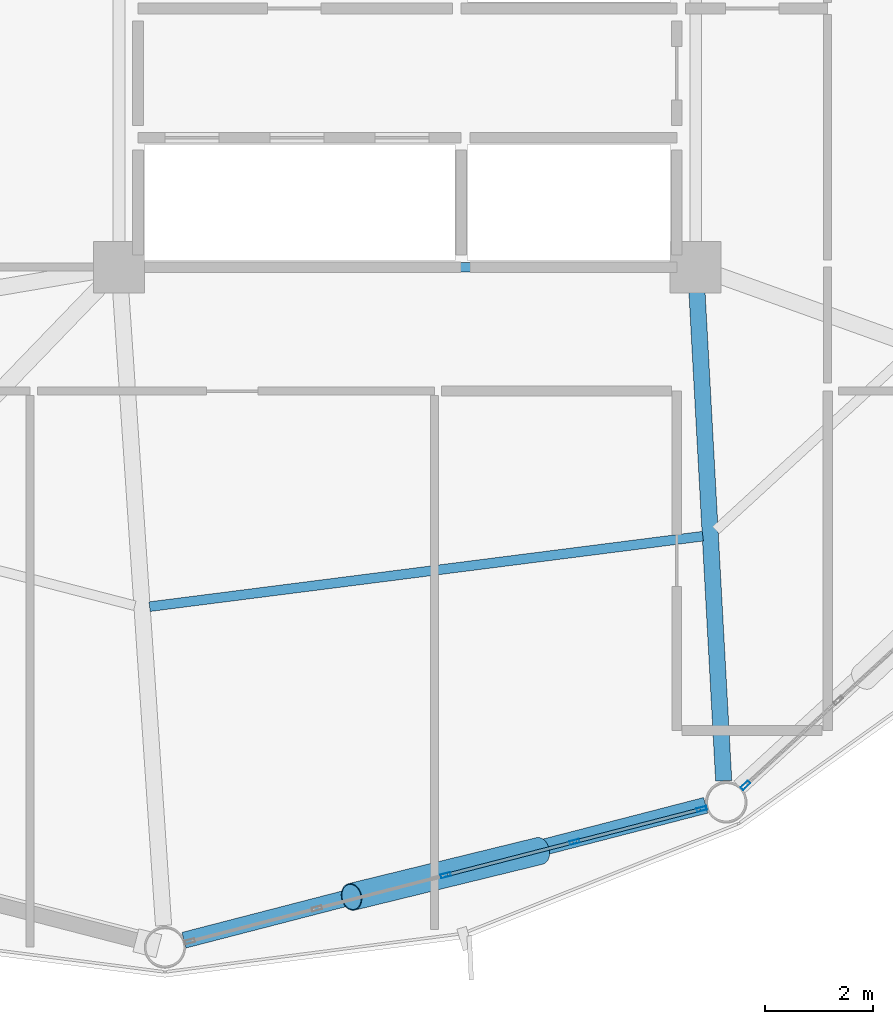
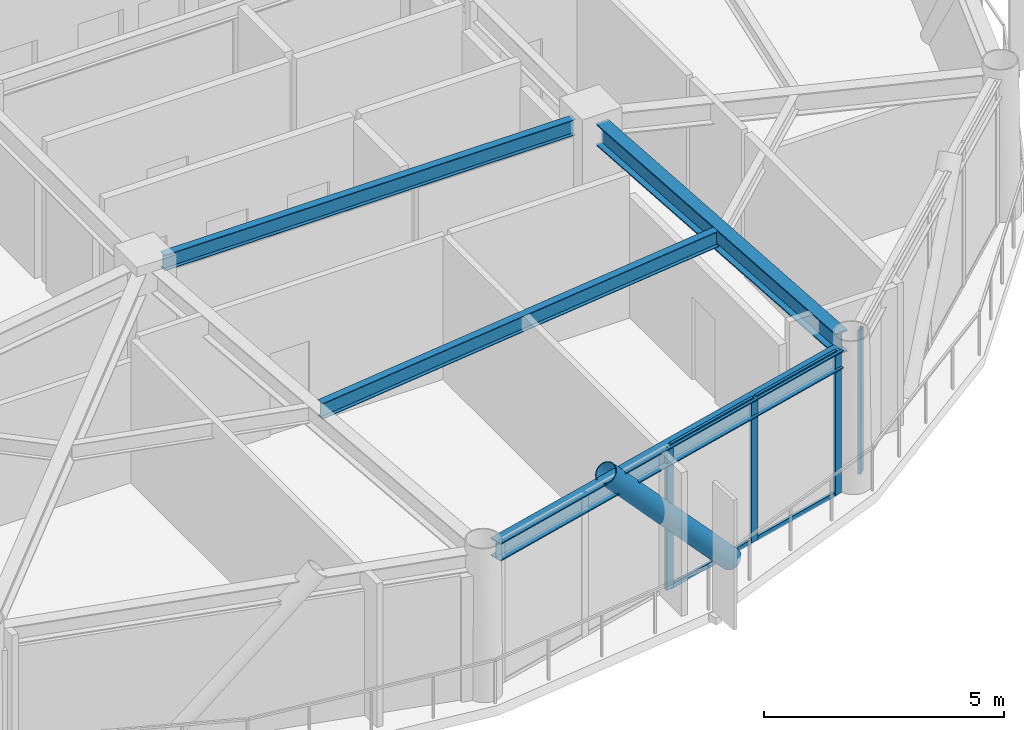
# One storey, part 8 of 26: 9 members, 4 beams, 2 elements without a shape of their own.
"""IFC4 building model written with IfcOpenShell, lengths in metres."""

from ifc_helpers import new_model, si_unit, direction, frame, origin, origin_2d, place, context, subcontext, project, spatial, hollow_rectangle, hollow_circle, i_section, extrude, material, layer, layer_set, material_profile, profile_set, type_object, element, aggregate, save


model = new_model("IFC4")

# Units and contexts
model_context = context("Model", 3, precision=1e-05, world=origin(), true_north=direction((0.0, 1.0)))
body_context = subcontext(model_context, "Body", "Model", "MODEL_VIEW")
ifc_project = project(units=[si_unit("LENGTHUNIT", "METRE"), si_unit("AREAUNIT", "SQUARE_METRE"), si_unit("VOLUMEUNIT", "CUBIC_METRE"), si_unit("PLANEANGLEUNIT", "RADIAN"), si_unit("MASSUNIT", "GRAM", prefix="KILO")], contexts=[model_context])

# Site, building, storey
site_placement = place(None, origin())
site = spatial("IfcSite", under=ifc_project, at=site_placement, CompositionType="ELEMENT")
building_placement = place(site_placement, origin())
building = spatial("IfcBuilding", under=site, at=building_placement, Name="Varnakorn Sky Granary", CompositionType="ELEMENT")
storey_placement = place(building_placement, frame((0.0, 0.0, 138.300048828125)))
storey = spatial("IfcBuildingStorey", under=building, at=storey_placement, Name="L34", CompositionType="ELEMENT", Elevation=138.300048828125)

# Beams
ifc_material_1 = material(Name="Steel S355JR", Category="steel")
ifc_material_profile_1 = material_profile(ifc_material_1, i_section(OverallWidth=0.300048828125, OverallDepth=0.550048828125, WebThickness=0.014892578125, FlangeThickness=0.029052734375, at=origin_2d()), Name="HE 550 B")
ifc_profile_set_1 = profile_set([ifc_material_profile_1], Name="Steel S355JR")
beam_type_1 = type_object("IfcBeamType", Name="BM-RAD-Z3", PredefinedType="BEAM", material=ifc_profile_set_1)
beam_1_placement = place(storey_placement, frame((8.372802734375, -7.019287109375, 3.364990234375), z_axis=(0.054607572622, -0.998507893315, 0.0), x_axis=(0.998507893315, 0.054607572622, 0.0)))
element("IfcBeam", 1, at=beam_1_placement, inside=storey, type_object=beam_type_1, Name="Radial Floor Girder RG11 L34", PredefinedType="BEAM", context=body_context, shape_type="SweptSolid", body=[
    extrude(i_section(OverallWidth=0.300048828125, OverallDepth=0.550048828125, WebThickness=0.014892578125, FlangeThickness=0.029052734375, at=origin_2d()), origin(), (0.0, 0.0, 1.0), 9.125),
])
ifc_material_profile_2 = material_profile(ifc_material_1, i_section(OverallWidth=0.179931640625, OverallDepth=0.39990234375, WebThickness=0.008544921875, FlangeThickness=0.013427734375, at=origin_2d()), Name="IPE 400")
ifc_profile_set_2 = profile_set([ifc_material_profile_2], Name="Steel S355JR")
beam_type_2 = type_object("IfcBeamType", Name="BM-SEC-Z3", PredefinedType="BEAM", material=ifc_profile_set_2)
beam_2_placement = place(storey_placement, frame((-1.7841796875, -12.900634765625, 3.43994140625), z_axis=(0.991984477801, 0.126359787126, 0.0), x_axis=(-0.126359787126, 0.991984477801, 0.0)))
element("IfcBeam", 2, at=beam_2_placement, inside=storey, type_object=beam_type_2, Name="Secondary Floor Chord Beam MSB10 L34", PredefinedType="BEAM", context=body_context, shape_type="SweptSolid", body=[
    extrude(i_section(OverallWidth=0.179931640625, OverallDepth=0.39990234375, WebThickness=0.008544921875, FlangeThickness=0.013427734375, at=origin_2d()), origin(), (0.0, 0.0, 1.0), 10.350341796875),
])
beam_3_placement = place(storey_placement, frame((-1.929931640625, -6.60009765625, 3.43994140625), z_axis=(1.0, 0.0, 0.0), x_axis=(0.0, 1.0, 0.0)))
element("IfcBeam", 3, at=beam_3_placement, inside=storey, type_object=beam_type_2, Name="Core Spine Framing Beam 6 L34", PredefinedType="BEAM", context=body_context, shape_type="SweptSolid", body=[
    extrude(i_section(OverallWidth=0.179931640625, OverallDepth=0.39990234375, WebThickness=0.008544921875, FlangeThickness=0.013427734375, at=origin_2d()), origin(), (0.0, 0.0, 1.0), 9.85986328125),
])
ifc_material_profile_3 = material_profile(ifc_material_1, i_section(OverallWidth=0.300048828125, OverallDepth=0.449951171875, WebThickness=0.013916015625, FlangeThickness=0.02587890625, at=origin_2d()), Name="HE 450 B")
ifc_profile_set_3 = profile_set([ifc_material_profile_3], Name="Steel S355JR")
beam_type_3 = type_object("IfcBeamType", Name="BM-SPD-Z3", PredefinedType="SPANDREL", material=ifc_profile_set_3)
beam_4_placement = place(storey_placement, frame((-1.145751953125, -19.09130859375, 3.4150390625), z_axis=(0.968156603597, 0.250345343299, 0.0), x_axis=(-0.250345343299, 0.968156603597, 0.0)))
element("IfcBeam", 4, at=beam_4_placement, inside=storey, type_object=beam_type_3, Name="Perimeter Spandrel Ring Beam RB10 L34", PredefinedType="SPANDREL", context=body_context, shape_type="SweptSolid", body=[
    extrude(i_section(OverallWidth=0.300048828125, OverallDepth=0.449951171875, WebThickness=0.013916015625, FlangeThickness=0.02587890625, at=origin_2d()), origin(), (0.0, 0.0, 1.0), 10.000732421875),
])

# Curtain wall, members
ifc_material_2 = material(Name="Anodised Bronze Aluminium Alloy 6063-T6", Category="aluminium")
ifc_layer = layer(ifc_material_2, 0.179931640625, Name="Anodised Bronze Aluminium Alloy 6063-T6")
ifc_layer_set = layer_set([ifc_layer], Name="Anodised Bronze Aluminium Alloy 6063-T6")
curtain_wall_type = type_object("IfcCurtainWallType", Name="CW-FRM-2", PredefinedType="USERDEFINED", material=ifc_layer_set)
curtain_wall_1_placement = place(storey_placement, origin())
curtain_wall_1 = element("IfcCurtainWall", 5, at=curtain_wall_1_placement, inside=storey, type_object=curtain_wall_type, Name="Unitised Curtain Wall CW4 CW-L34-B10", ObjectType="CURTAIN WALL", PredefinedType="USERDEFINED")
ifc_material_profile_4 = material_profile(ifc_material_2, hollow_rectangle(XDim=0.070068359375, YDim=0.18505859375, WallThickness=0.00390625, at=origin_2d()), Name="ALU MULL 70x185")
ifc_profile_set_4 = profile_set([ifc_material_profile_4], Name="Anodised Bronze Aluminium Alloy 6063-T6")
member_type_1 = type_object("IfcMemberType", Name="CW-FRM-2-MULL", PredefinedType="MULLION", material=ifc_profile_set_4)
member_1_placement = place(storey_placement, frame((8.463134765625, -16.65673828125, 0.0), z_axis=(0.0, 0.0, 1.0), x_axis=(0.250174194808, -0.968200842931, 0.0)))
member_1 = element("IfcMember", 6, at=member_1_placement, type_object=member_type_1, Name="CW4 mullion 1", PredefinedType="MULLION", context=body_context, shape_type="SweptSolid", body=[
    extrude(hollow_rectangle(XDim=0.070068359375, YDim=0.18505859375, WallThickness=0.00390625, at=origin_2d()), origin(), (0.0, 0.0, 1.0), 3.639892578125),
])
member_2_placement = place(storey_placement, frame((6.1044921875, -17.26611328125, 0.0), z_axis=(0.0, 0.0, 1.0), x_axis=(0.250174194808, -0.968200842931, 0.0)))
member_2 = element("IfcMember", 7, at=member_2_placement, type_object=member_type_1, Name="CW4 mullion 2", PredefinedType="MULLION", context=body_context, shape_type="SweptSolid", body=[
    extrude(hollow_rectangle(XDim=0.070068359375, YDim=0.18505859375, WallThickness=0.00390625, at=origin_2d()), origin(), (0.0, 0.0, 1.0), 3.639892578125),
])
member_3_placement = place(storey_placement, frame((3.7119140625, -17.88427734375, 0.0), z_axis=(0.0, 0.0, 1.0), x_axis=(0.250174194808, -0.968200842931, 0.0)))
member_3 = element("IfcMember", 8, at=member_3_placement, type_object=member_type_1, Name="CW4 mullion 3", PredefinedType="MULLION", context=body_context, shape_type="SweptSolid", body=[
    extrude(hollow_rectangle(XDim=0.070068359375, YDim=0.18505859375, WallThickness=0.00390625, at=origin_2d()), origin(), (0.0, 0.0, 1.0), 3.639892578125),
])

# Curtain wall, member
curtain_wall_2_placement = place(storey_placement, origin())
curtain_wall_2 = element("IfcCurtainWall", 9, at=curtain_wall_2_placement, inside=storey, type_object=curtain_wall_type, Name="Unitised Curtain Wall CW4 CW-L34-B11", ObjectType="CURTAIN WALL", PredefinedType="USERDEFINED")
member_4_placement = place(storey_placement, frame((9.27490234375, -16.216064453125, 0.0), z_axis=(0.0, 0.0, 1.0), x_axis=(0.675438035219, -0.737416748236, 0.0)))
member_4 = element("IfcMember", 10, at=member_4_placement, type_object=member_type_1, Name="CW4 mullion 5", PredefinedType="MULLION", context=body_context, shape_type="SweptSolid", body=[
    extrude(hollow_rectangle(XDim=0.070068359375, YDim=0.18505859375, WallThickness=0.00390625, at=origin_2d()), origin(), (0.0, 0.0, 1.0), 3.639892578125),
])
aggregate(curtain_wall_2, [member_4])

# Member
ifc_material_profile_5 = material_profile(ifc_material_2, hollow_rectangle(XDim=0.06494140625, YDim=0.1201171875, WallThickness=0.00341796875, at=origin_2d()), Name="ALU TRAN 65x120")
ifc_profile_set_5 = profile_set([ifc_material_profile_5], Name="Anodised Bronze Aluminium Alloy 6063-T6")
member_type_2 = type_object("IfcMemberType", Name="CW-FRM-2-TRAN", PredefinedType="USERDEFINED", material=ifc_profile_set_5)
member_5_placement = place(storey_placement, frame((8.42919921875, -16.66552734375, 0.032470703125), z_axis=(-0.968212861951, -0.250127675303, 0.0), x_axis=(0.250127675303, -0.968212861951, 0.0)))
member_5 = element("IfcMember", 11, at=member_5_placement, type_object=member_type_2, Name="CW4 transom 1.1", ObjectType="TRANSOM", PredefinedType="USERDEFINED", context=body_context, shape_type="SweptSolid", body=[
    extrude(hollow_rectangle(XDim=0.06494140625, YDim=0.1201171875, WallThickness=0.00341796875, at=origin_2d()), origin(), (0.0, 0.0, 1.0), 2.365966796875),
])

member_6_placement = place(storey_placement, frame((8.42919921875, -16.66552734375, 3.607421875), z_axis=(-0.968212861951, -0.250127675303, 0.0), x_axis=(0.250127675303, -0.968212861951, 0.0)))
member_6 = element("IfcMember", 12, at=member_6_placement, type_object=member_type_2, Name="CW4 transom 1.2", ObjectType="TRANSOM", PredefinedType="USERDEFINED", context=body_context, shape_type="SweptSolid", body=[
    extrude(hollow_rectangle(XDim=0.06494140625, YDim=0.1201171875, WallThickness=0.00341796875, at=origin_2d()), origin(), (0.0, 0.0, 1.0), 2.365966796875),
])

member_7_placement = place(storey_placement, frame((6.070556640625, -17.27490234375, 0.032470703125), z_axis=(-0.968210625911, -0.250136330576, 0.0), x_axis=(0.250136330576, -0.968210625911, 0.0)))
member_7 = element("IfcMember", 13, at=member_7_placement, type_object=member_type_2, Name="CW4 transom 2.1", ObjectType="TRANSOM", PredefinedType="USERDEFINED", context=body_context, shape_type="SweptSolid", body=[
    extrude(hollow_rectangle(XDim=0.06494140625, YDim=0.1201171875, WallThickness=0.00341796875, at=origin_2d()), origin(), (0.0, 0.0, 1.0), 2.401123046875),
])

member_8_placement = place(storey_placement, frame((6.070556640625, -17.27490234375, 3.607421875), z_axis=(-0.968210625911, -0.250136330576, 0.0), x_axis=(0.250136330576, -0.968210625911, 0.0)))
member_8 = element("IfcMember", 14, at=member_8_placement, type_object=member_type_2, Name="CW4 transom 2.2", ObjectType="TRANSOM", PredefinedType="USERDEFINED", context=body_context, shape_type="SweptSolid", body=[
    extrude(hollow_rectangle(XDim=0.06494140625, YDim=0.1201171875, WallThickness=0.00341796875, at=origin_2d()), origin(), (0.0, 0.0, 1.0), 2.401123046875),
])

aggregate(curtain_wall_1, [member_1, member_2, member_3, member_5, member_6, member_7, member_8])

ifc_material_3 = material(Name="Steel S460M", Category="steel")
ifc_material_profile_6 = material_profile(ifc_material_3, hollow_circle(Radius=0.25390625, WallThickness=0.01806640625, at=origin_2d()), Name="CHS 508x18")
ifc_profile_set_6 = profile_set([ifc_material_profile_6], Name="Steel S460M")
member_type_3 = type_object("IfcMemberType", Name="MB-DIAG-T2", PredefinedType="BRACE", material=ifc_profile_set_6)
member_9_placement = place(storey_placement, frame((5.44921875, -17.435302734375, -0.130126953125), z_axis=(-0.65587497999, -0.160328057727, 0.737646883358), x_axis=(0.237457370677, -0.971397960216, 0.0)))
element("IfcMember", 15, at=member_9_placement, inside=storey, type_object=member_type_3, Name="Perimeter CHS Diagrid Brace DG10 L34", PredefinedType="BRACE", context=body_context, shape_type="SweptSolid", body=[
    extrude(hollow_circle(Radius=0.25390625, WallThickness=0.01806640625, at=origin_2d()), origin(), (0.0, 0.0, 1.0), 5.314453125),
])

save(model, "model.ifc")
